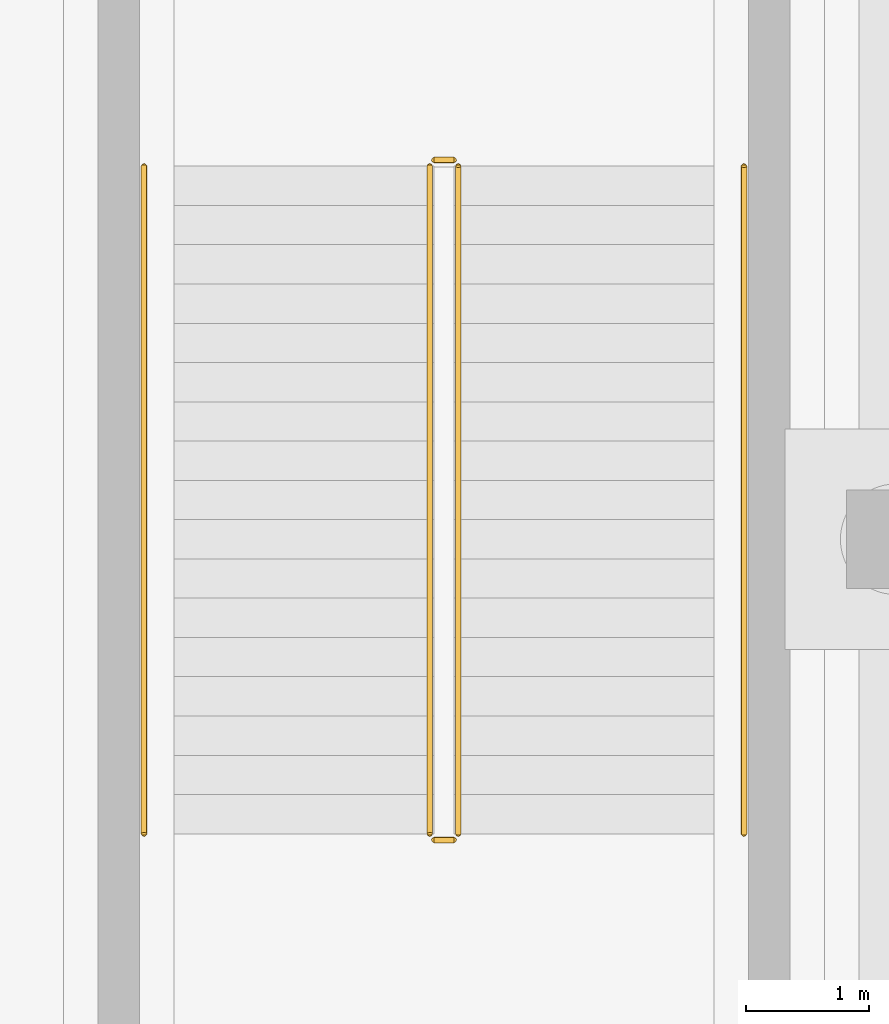
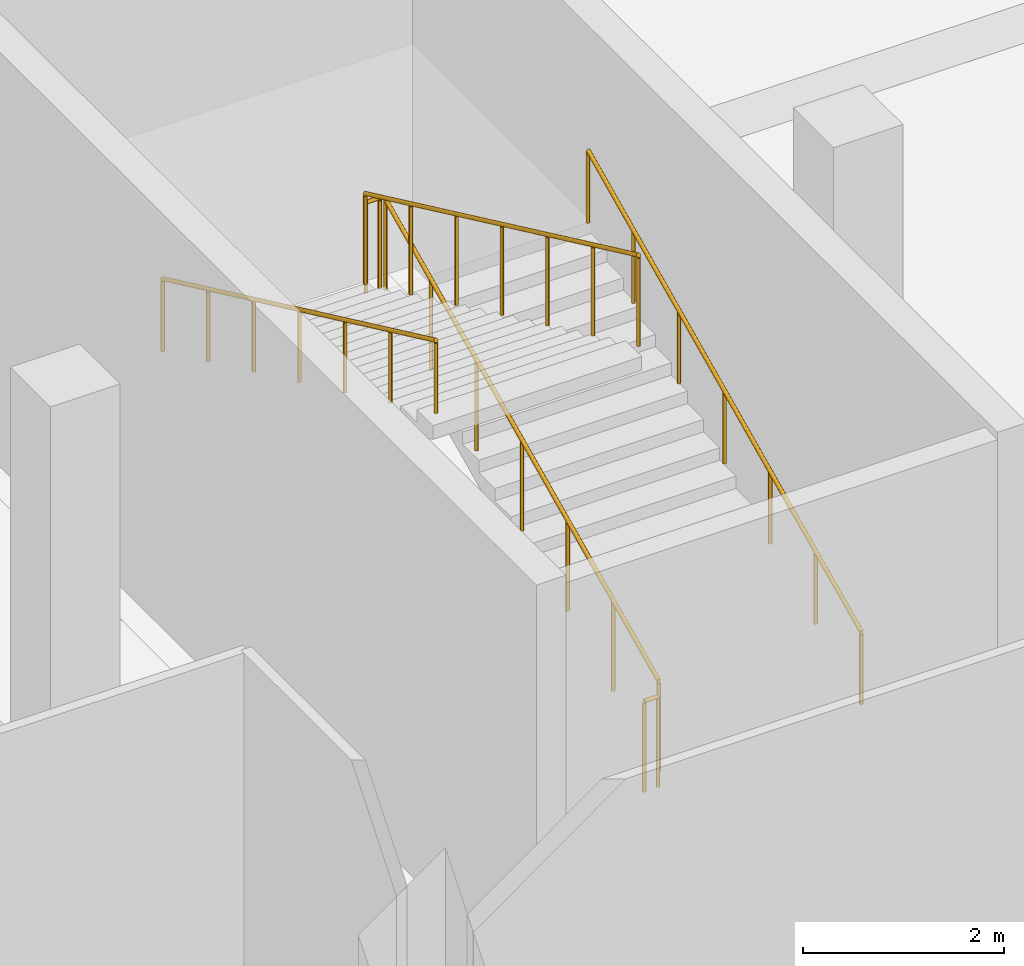
# One storey, part 31 of 39: 6 railings.
"""IFC4 building model written with IfcOpenShell, lengths in metres."""

from ifc_helpers import new_model, si_unit, direction, frame, origin, origin_2d, place, context, subcontext, project, spatial, circle, extrude, material, layer, layer_set, type_object, element, save


model = new_model("IFC4")

# Units and contexts
model_context = context("Model", 3, precision=1e-05, world=origin(), true_north=direction((0.0, 1.0)))
body_context = subcontext(model_context, "Body", "Model", "MODEL_VIEW")
ifc_project = project(units=[si_unit("LENGTHUNIT", "METRE"), si_unit("AREAUNIT", "SQUARE_METRE"), si_unit("VOLUMEUNIT", "CUBIC_METRE"), si_unit("PLANEANGLEUNIT", "RADIAN"), si_unit("MASSUNIT", "GRAM", prefix="KILO")], contexts=[model_context])

# Site, building, storey
site_placement = place(None, origin())
site = spatial("IfcSite", under=ifc_project, at=site_placement, CompositionType="ELEMENT")
building_placement = place(site_placement, origin())
building = spatial("IfcBuilding", under=site, at=building_placement, Name="Celestram Park Convention Centre", CompositionType="ELEMENT")
storey_placement = place(building_placement, frame((0.0, 0.0, -5.39990234375)))
storey = spatial("IfcBuildingStorey", under=building, at=storey_placement, Name="B1", CompositionType="ELEMENT", Elevation=-5.39990234375)

# Railings
ifc_material_1 = material(Name="Stainless Steel AISI 316L & Laminated Glass", Category="steel")
ifc_layer_1 = layer(ifc_material_1, 0.06005859375)
ifc_layer_set_1 = layer_set([ifc_layer_1], Name="Stainless Steel AISI 316L & Laminated Glass")
railing_type_1 = type_object("IfcRailingType", Name="ARC-RL-GRD1120", PredefinedType="GUARDRAIL", material=ifc_layer_set_1)
railing_1_placement = place(storey_placement, frame((113.43603515625, 26.39990234375, 0.14990234375)))
element("IfcRailing", 1, at=railing_1_placement, inside=storey, type_object=railing_type_1, Name="B1 ST-18 stair guard 1", PredefinedType="GUARDRAIL", context=body_context, shape_type="SweptSolid", body=[
    extrude(circle(Radius=0.02392578125, at=origin_2d()), frame((0.0, 0.0, 1.09619140625), z_axis=(0.0, 0.905461375974, 0.424428670827), x_axis=(-1.0, 0.0, 0.0)), (0.0, 0.0, 1.0), 6.00830078125),
    extrude(circle(Radius=0.02099609375, at=origin_2d()), origin(), (0.0, 0.0, 1.0), 1.072021484375),
    extrude(circle(Radius=0.02099609375, at=origin_2d()), frame((0.0, 0.90673828125, 0.425048828125)), (0.0, 0.0, 1.0), 1.072021484375),
    extrude(circle(Radius=0.02099609375, at=origin_2d()), frame((0.0, 1.8134765625, 0.85009765625)), (0.0, 0.0, 1.0), 1.072021484375),
    extrude(circle(Radius=0.02099609375, at=origin_2d()), frame((0.0, 2.72021484375, 1.27490234375)), (0.0, 0.0, 1.0), 1.072021484375),
    extrude(circle(Radius=0.02099609375, at=origin_2d()), frame((0.0, 3.626708984375, 1.699951171875)), (0.0, 0.0, 1.0), 1.072021484375),
    extrude(circle(Radius=0.02099609375, at=origin_2d()), frame((0.0, 4.533447265625, 2.125)), (0.0, 0.0, 1.0), 1.072021484375),
    extrude(circle(Radius=0.02099609375, at=origin_2d()), frame((0.0, 5.440185546875, 2.550048828125)), (0.0, 0.0, 1.0), 1.072021484375),
])
railing_2_placement = place(storey_placement, frame((113.39990234375, 31.889892578125, 2.699951171875)))
element("IfcRailing", 2, at=railing_2_placement, inside=storey, type_object=railing_type_1, Name="B1 ST-18 stair guard 2", PredefinedType="GUARDRAIL", context=body_context, shape_type="SweptSolid", body=[
    extrude(circle(Radius=0.02392578125, at=origin_2d()), frame((0.0, 0.0, 1.09619140625), z_axis=(-1.0, 0.0, 0.0), x_axis=(0.0, -1.0, 0.0)), (0.0, 0.0, 1.0), 0.159912109375),
    extrude(circle(Radius=0.02099609375, at=origin_2d()), origin(), (0.0, 0.0, 1.0), 1.072021484375),
    extrude(circle(Radius=0.02099609375, at=origin_2d()), frame((-0.159912109375, 0.0, 0.0)), (0.0, 0.0, 1.0), 1.072021484375),
])
railing_3_placement = place(storey_placement, frame((113.2041015625, 31.840087890625, 2.849853515625)))
element("IfcRailing", 3, at=railing_3_placement, inside=storey, type_object=railing_type_1, Name="B1 ST-18 stair guard 3", PredefinedType="GUARDRAIL", context=body_context, shape_type="SweptSolid", body=[
    extrude(circle(Radius=0.02392578125, at=origin_2d()), frame((0.0, 0.0, 1.09619140625), z_axis=(0.0, -0.905461375974, 0.424428670827), x_axis=(1.0, 0.0, 0.0)), (0.0, 0.0, 1.0), 6.00830078125),
    extrude(circle(Radius=0.02099609375, at=origin_2d()), origin(), (0.0, 0.0, 1.0), 1.072021484375),
    extrude(circle(Radius=0.02099609375, at=origin_2d()), frame((0.0, -0.90673828125, 0.425048828125)), (0.0, 0.0, 1.0), 1.072021484375),
    extrude(circle(Radius=0.02099609375, at=origin_2d()), frame((0.0, -1.8134765625, 0.85009765625)), (0.0, 0.0, 1.0), 1.072021484375),
    extrude(circle(Radius=0.02099609375, at=origin_2d()), frame((0.0, -2.72021484375, 1.27490234375)), (0.0, 0.0, 1.0), 1.072021484375),
    extrude(circle(Radius=0.02099609375, at=origin_2d()), frame((0.0, -3.626708984375, 1.699951171875)), (0.0, 0.0, 1.0), 1.072021484375),
    extrude(circle(Radius=0.02099609375, at=origin_2d()), frame((0.0, -4.533447265625, 2.125)), (0.0, 0.0, 1.0), 1.072021484375),
    extrude(circle(Radius=0.02099609375, at=origin_2d()), frame((0.0, -5.440185546875, 2.550048828125)), (0.0, 0.0, 1.0), 1.072021484375),
])
railing_4_placement = place(storey_placement, frame((113.39990234375, 26.35009765625, 0.0)))
element("IfcRailing", 4, at=railing_4_placement, inside=storey, type_object=railing_type_1, Name="B1 ST-18 stair guard 4", PredefinedType="GUARDRAIL", context=body_context, shape_type="SweptSolid", body=[
    extrude(circle(Radius=0.02392578125, at=origin_2d()), frame((0.0, 0.0, 1.09619140625), z_axis=(-1.0, 0.0, 0.0), x_axis=(0.0, -1.0, 0.0)), (0.0, 0.0, 1.0), 0.159912109375),
    extrude(circle(Radius=0.02099609375, at=origin_2d()), origin(), (0.0, 0.0, 1.0), 1.072021484375),
    extrude(circle(Radius=0.02099609375, at=origin_2d()), frame((-0.159912109375, 0.0, 0.0)), (0.0, 0.0, 1.0), 1.072021484375),
])
ifc_material_2 = material(Name="Brushed Stainless Steel AISI 304", Category="steel")
ifc_layer_2 = layer(ifc_material_2, 0.048095703125)
ifc_layer_set_2 = layer_set([ifc_layer_2], Name="Brushed Stainless Steel AISI 304")
railing_type_2 = type_object("IfcRailingType", Name="ARC-RL-HND915", PredefinedType="HANDRAIL", material=ifc_layer_set_2)
railing_5_placement = place(storey_placement, frame((115.763916015625, 26.39990234375, 0.14990234375)))
element("IfcRailing", 5, at=railing_5_placement, inside=storey, type_object=railing_type_2, Name="B1 ST-18 stair handrail 1", PredefinedType="HANDRAIL", context=body_context, shape_type="SweptSolid", body=[
    extrude(circle(Radius=0.02392578125, at=origin_2d()), frame((0.0, 0.0, 0.8759765625), z_axis=(0.0, 0.905461375974, 0.424428670827), x_axis=(-1.0, 0.0, 0.0)), (0.0, 0.0, 1.0), 6.00830078125),
    extrude(circle(Radius=0.02099609375, at=origin_2d()), origin(), (0.0, 0.0, 1.0), 0.851806640625),
    extrude(circle(Radius=0.02099609375, at=origin_2d()), frame((0.0, 0.90673828125, 0.425048828125)), (0.0, 0.0, 1.0), 0.851806640625),
    extrude(circle(Radius=0.02099609375, at=origin_2d()), frame((0.0, 1.8134765625, 0.85009765625)), (0.0, 0.0, 1.0), 0.851806640625),
    extrude(circle(Radius=0.02099609375, at=origin_2d()), frame((0.0, 2.72021484375, 1.27490234375)), (0.0, 0.0, 1.0), 0.851806640625),
    extrude(circle(Radius=0.02099609375, at=origin_2d()), frame((0.0, 3.626708984375, 1.699951171875)), (0.0, 0.0, 1.0), 0.851806640625),
    extrude(circle(Radius=0.02099609375, at=origin_2d()), frame((0.0, 4.533447265625, 2.125)), (0.0, 0.0, 1.0), 0.851806640625),
    extrude(circle(Radius=0.02099609375, at=origin_2d()), frame((0.0, 5.440185546875, 2.550048828125)), (0.0, 0.0, 1.0), 0.851806640625),
])
railing_6_placement = place(storey_placement, frame((110.8759765625, 31.840087890625, 2.849853515625)))
element("IfcRailing", 6, at=railing_6_placement, inside=storey, type_object=railing_type_2, Name="B1 ST-18 stair handrail 2", PredefinedType="HANDRAIL", context=body_context, shape_type="SweptSolid", body=[
    extrude(circle(Radius=0.02392578125, at=origin_2d()), frame((0.0, 0.0, 0.8759765625), z_axis=(0.0, -0.905461375974, 0.424428670827), x_axis=(1.0, 0.0, 0.0)), (0.0, 0.0, 1.0), 6.00830078125),
    extrude(circle(Radius=0.02099609375, at=origin_2d()), origin(), (0.0, 0.0, 1.0), 0.851806640625),
    extrude(circle(Radius=0.02099609375, at=origin_2d()), frame((0.0, -0.90673828125, 0.425048828125)), (0.0, 0.0, 1.0), 0.851806640625),
    extrude(circle(Radius=0.02099609375, at=origin_2d()), frame((0.0, -1.8134765625, 0.85009765625)), (0.0, 0.0, 1.0), 0.851806640625),
    extrude(circle(Radius=0.02099609375, at=origin_2d()), frame((0.0, -2.72021484375, 1.27490234375)), (0.0, 0.0, 1.0), 0.851806640625),
    extrude(circle(Radius=0.02099609375, at=origin_2d()), frame((0.0, -3.626708984375, 1.699951171875)), (0.0, 0.0, 1.0), 0.851806640625),
    extrude(circle(Radius=0.02099609375, at=origin_2d()), frame((0.0, -4.533447265625, 2.125)), (0.0, 0.0, 1.0), 0.851806640625),
    extrude(circle(Radius=0.02099609375, at=origin_2d()), frame((0.0, -5.440185546875, 2.550048828125)), (0.0, 0.0, 1.0), 0.851806640625),
])

save(model, "model.ifc")
